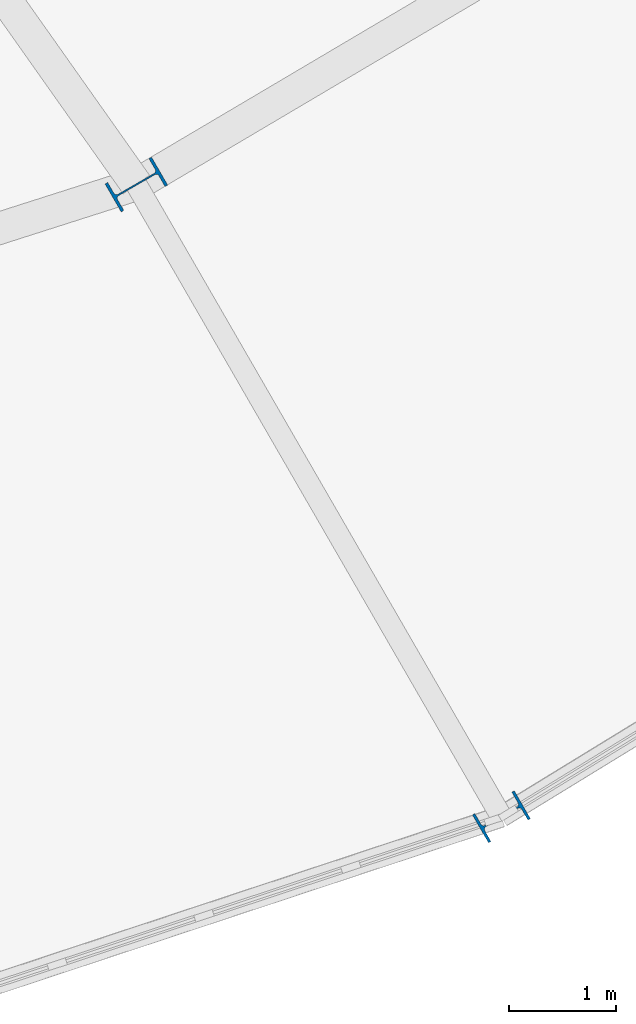
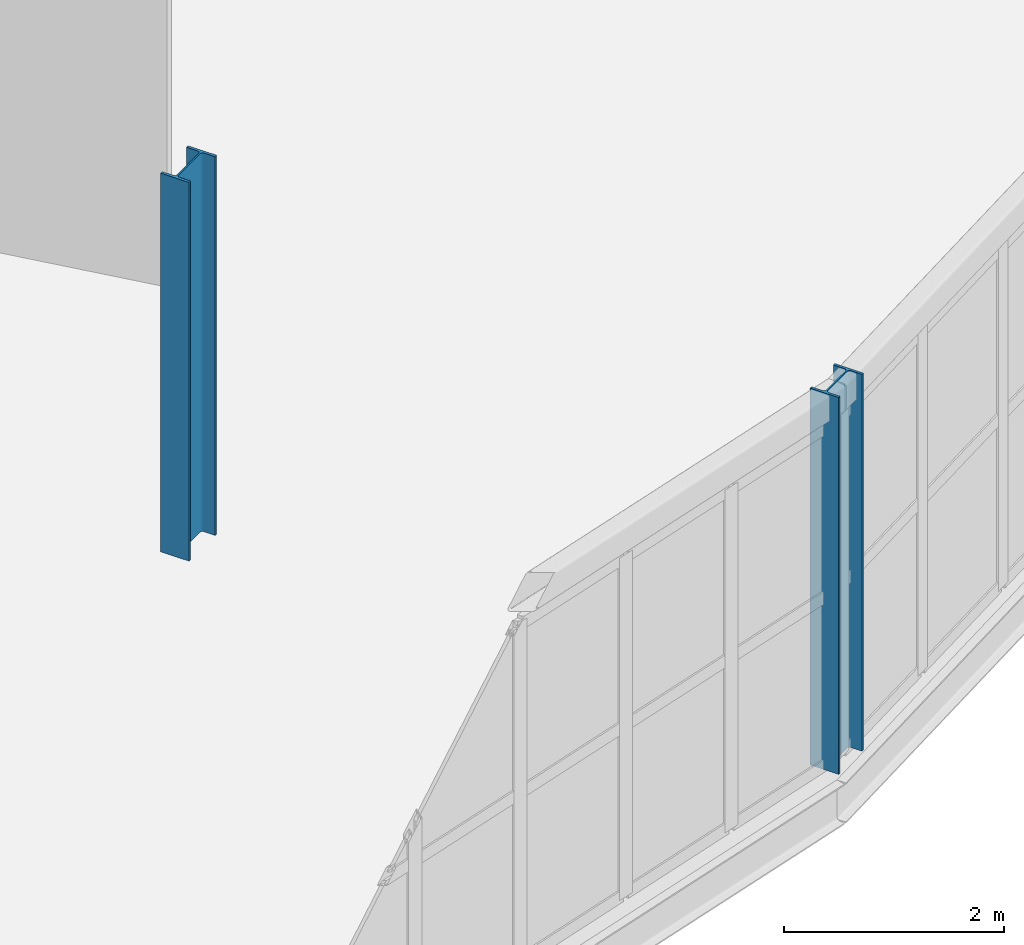
# One storey, part 8 of 161: 2 columns.
"""IFC4 building model written with IfcOpenShell, lengths in metres."""

from ifc_helpers import new_model, si_unit, direction, frame, origin, origin_2d, place, context, subcontext, project, spatial, i_section, extrude, material, material_profile, profile_set, type_object, element, save


model = new_model("IFC4")

# Units and contexts
model_context = context("Model", 3, precision=1e-05, world=origin(), true_north=direction((0.0, 1.0)))
body_context = subcontext(model_context, "Body", "Model", "MODEL_VIEW")
ifc_project = project(units=[si_unit("LENGTHUNIT", "METRE"), si_unit("AREAUNIT", "SQUARE_METRE"), si_unit("VOLUMEUNIT", "CUBIC_METRE"), si_unit("PLANEANGLEUNIT", "RADIAN"), si_unit("MASSUNIT", "GRAM", prefix="KILO")], contexts=[model_context])

# Site, building, storey
site_placement = place(None, origin())
site = spatial("IfcSite", under=ifc_project, at=site_placement, CompositionType="ELEMENT")
building_placement = place(site_placement, origin())
building = spatial("IfcBuilding", under=site, at=building_placement, Name="Kildeholm Park Wholesale Market", CompositionType="ELEMENT")
storey_placement = place(building_placement, frame((0.0, 0.0, 5.39990234375)))
storey = spatial("IfcBuildingStorey", under=building, at=storey_placement, Name="L01", CompositionType="ELEMENT", Elevation=5.39990234375)

# Columns
ifc_material = material(Name="Steel S355", Category="steel")
ifc_material_profile_1 = material_profile(ifc_material, i_section(OverallWidth=0.300048828125, OverallDepth=0.449951171875, WebThickness=0.013916015625, FlangeThickness=0.02587890625, FilletRadius=0.027099609375, at=origin_2d()), Name="HEB 450")
ifc_profile_set_1 = profile_set([ifc_material_profile_1], Name="Steel S355")
column_type_1 = type_object("IfcColumnType", Name="Column C-S06 HEB 450", PredefinedType="COLUMN", material=ifc_profile_set_1)
column_1_placement = place(storey_placement, frame((127.5, 50.095947265625, 0.0), z_axis=(0.0, 0.0, 1.0), x_axis=(0.5, -0.866025403784, 0.0)))
element("IfcColumn", 1, at=column_1_placement, inside=storey, type_object=column_type_1, Name="Column V1-OT-20 L01 COL-0188", PredefinedType="COLUMN", context=body_context, shape_type="SweptSolid", body=[
    extrude(i_section(OverallWidth=0.300048828125, OverallDepth=0.449951171875, WebThickness=0.013916015625, FlangeThickness=0.02587890625, FilletRadius=0.027099609375, at=origin_2d()), origin(), (0.0, 0.0, 1.0), 4.18017578125),
])
ifc_material_profile_2 = material_profile(ifc_material, i_section(OverallWidth=0.300048828125, OverallDepth=0.5, WebThickness=0.014404296875, FlangeThickness=0.028076171875, FilletRadius=0.027099609375, at=origin_2d()), Name="HEB 500")
ifc_profile_set_2 = profile_set([ifc_material_profile_2], Name="Steel S355")
column_type_2 = type_object("IfcColumnType", Name="Column C-S07 HEB 500", PredefinedType="COLUMN", material=ifc_profile_set_2)
column_2_placement = place(storey_placement, frame((124.10009765625, 55.985107421875, 0.0), z_axis=(0.0, 0.0, 1.0), x_axis=(0.5, -0.866025403784, 0.0)))
element("IfcColumn", 2, at=column_2_placement, inside=storey, type_object=column_type_2, Name="Column V1-MD-20 L01 COL-0185", PredefinedType="COLUMN", context=body_context, shape_type="SweptSolid", body=[
    extrude(i_section(OverallWidth=0.300048828125, OverallDepth=0.5, WebThickness=0.014404296875, FlangeThickness=0.028076171875, FilletRadius=0.027099609375, at=origin_2d()), origin(), (0.0, 0.0, 1.0), 4.2001953125),
])

save(model, "model.ifc")
